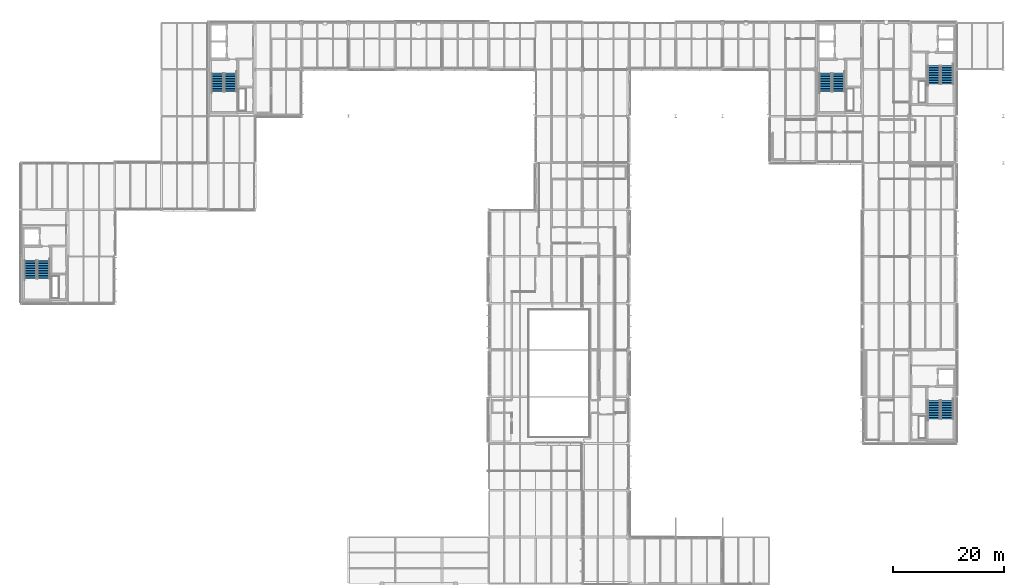
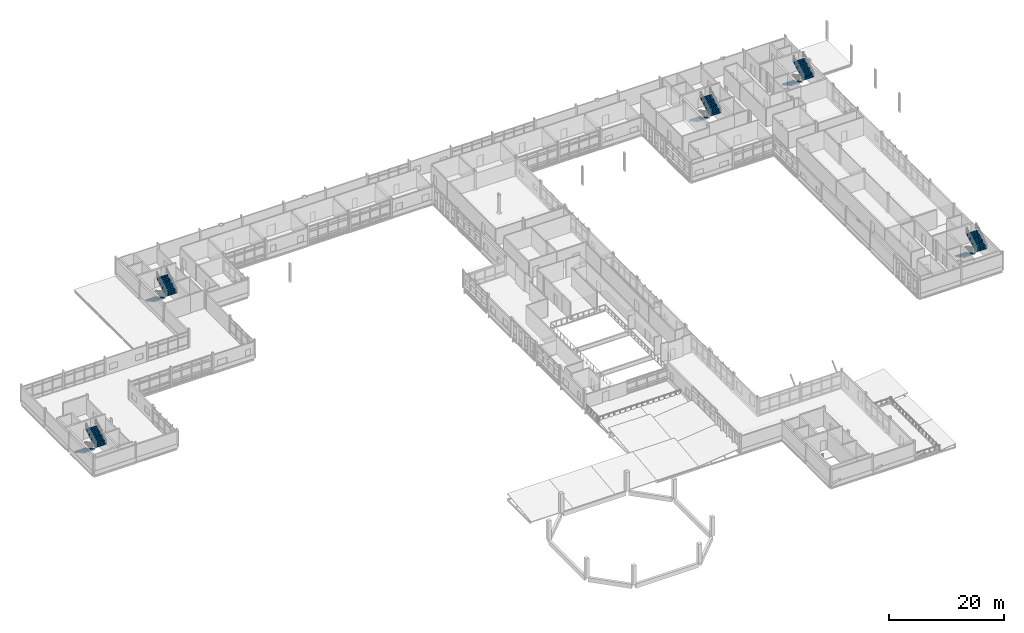
# One storey, part 115 of 131: 10 stair flights, 5 elements without a shape of their own.
"""IFC4 building model written with IfcOpenShell, lengths in metres."""

from ifc_helpers import new_model, si_unit, direction, frame, origin, place, context, subcontext, project, spatial, polyline, outline, extrude, material, type_object, element, aggregate, save


model = new_model("IFC4")

# Units and contexts
model_context = context("Model", 3, precision=1e-05, world=origin(), true_north=direction((0.0, 1.0)))
body_context = subcontext(model_context, "Body", "Model", "MODEL_VIEW")
ifc_project = project(units=[si_unit("LENGTHUNIT", "METRE"), si_unit("AREAUNIT", "SQUARE_METRE"), si_unit("VOLUMEUNIT", "CUBIC_METRE"), si_unit("PLANEANGLEUNIT", "RADIAN"), si_unit("MASSUNIT", "GRAM", prefix="KILO")], contexts=[model_context])

# Site, building, storey
site_placement = place(None, origin())
site = spatial("IfcSite", under=ifc_project, at=site_placement, CompositionType="ELEMENT")
building_placement = place(site_placement, origin())
building = spatial("IfcBuilding", under=site, at=building_placement, Name="Mersafa Astral City Hall", CompositionType="ELEMENT")
storey_placement = place(building_placement, frame((0.0, 0.0, 13.949951171875)))
storey = spatial("IfcBuildingStorey", under=building, at=storey_placement, Name="L03", CompositionType="ELEMENT", Elevation=13.949951171875)

# Stair, stair flights
ifc_material = material(Name="Concrete C40/50", Category="concrete")
stair_type = type_object("IfcStairType", Name="STAIR", PredefinedType="HALF_TURN_STAIR", material=ifc_material)
stair_1_placement = place(storey_placement, origin())
stair_1 = element("IfcStair", 1, at=stair_1_placement, inside=storey, type_object=stair_type, Name="L03 Protected Exit Stair ST1", PredefinedType="HALF_TURN_STAIR")
stair_flight_type = type_object("IfcStairFlightType", Name="STAIR-FLIGHT", PredefinedType="STRAIGHT", material=ifc_material)
stair_flight_1_placement = place(storey_placement, frame((152.8798828125, 116.89990234375, 0.0), z_axis=(0.0, 0.0, 1.0), x_axis=(0.0, -1.0, 0.0)))
stair_flight_1 = element("IfcStairFlight", 2, at=stair_flight_1_placement, type_object=stair_flight_type, Name="ST1 flight 1", NumberOfRisers=12, NumberOfTreads=11, PredefinedType="STRAIGHT", RiserHeight=0.16875, TreadLength=0.3, context=body_context, shape_type="SweptSolid", body=[
    extrude(outline(polyline([(-0.008056640625, -0.02197265625), (-0.008056640625, -0.010009765625), (-0.008056640625, 0.001953125), (-0.008056640625, 0.013671875), (-0.008056640625, 0.025634765625), (-0.008056640625, 0.03759765625), (-0.008056640625, 0.049560546875), (-0.008056640625, 0.0615234375), (-0.008056640625, 0.073486328125), (-0.008056640625, 0.085205078125), (-0.008056640625, 0.09716796875), (-0.008056640625, 0.109130859375), (-0.008056640625, 0.12109375), (-0.008056640625, 0.133056640625), (-0.008056640625, 0.14501953125), (-0.008056640625, 0.15673828125), (-0.008056640625, 0.168701171875), (0.300048828125, 0.168701171875), (0.300048828125, 0.33740234375), (0.60009765625, 0.33740234375), (0.60009765625, 0.50634765625), (0.89990234375, 0.50634765625), (0.89990234375, 0.675048828125), (1.199951171875, 0.675048828125), (1.199951171875, 0.84375), (1.5, 0.84375), (1.5, 1.012451171875), (1.800048828125, 1.012451171875), (1.800048828125, 1.18115234375), (2.10009765625, 1.18115234375), (2.10009765625, 1.35009765625), (2.39990234375, 1.35009765625), (2.39990234375, 1.518798828125), (2.699951171875, 1.518798828125), (2.699951171875, 1.6875), (3.0, 1.6875), (3.0, 1.856201171875), (3.300048828125, 1.856201171875), (3.300048828125, 2.02490234375), (3.30810546875, 2.02490234375), (3.30810546875, 2.003662109375), (3.30810546875, 1.982421875), (3.30810546875, 1.961181640625), (3.30810546875, 1.939697265625), (3.30810546875, 1.91845703125), (3.30810546875, 1.897216796875), (3.30810546875, 1.8759765625), (3.30810546875, 1.854736328125), (3.30810546875, 1.833251953125), (3.30810546875, 1.81201171875), (3.30810546875, 1.790771484375), (3.30810546875, 1.76953125), (3.30810546875, 1.748046875), (3.30810546875, 1.726806640625), (3.30810546875, 1.70556640625), (3.30810546875, 1.684326171875), (0.2666015625, -0.02197265625), (-0.008056640625, -0.02197265625)])), frame((0.0, 1.10009765625, 0.0), z_axis=(0.0, -1.0, 0.0), x_axis=(1.0, 0.0, 0.0)), (0.0, 0.0, 1.0), 2.199951171875),
])
stair_flight_2_placement = place(storey_placement, frame((155.239990234375, 113.60009765625, 2.025146484375), z_axis=(0.0, 0.0, 1.0), x_axis=(0.0, 1.0, 0.0)))
stair_flight_2 = element("IfcStairFlight", 3, at=stair_flight_2_placement, type_object=stair_flight_type, Name="ST1 flight 2", NumberOfRisers=12, NumberOfTreads=11, PredefinedType="STRAIGHT", RiserHeight=0.16875, TreadLength=0.3, context=body_context, shape_type="SweptSolid", body=[
    extrude(outline(polyline([(-0.008056640625, -0.02197265625), (-0.008056640625, -0.010009765625), (-0.008056640625, 0.001953125), (-0.008056640625, 0.013671875), (-0.008056640625, 0.025634765625), (-0.008056640625, 0.03759765625), (-0.008056640625, 0.049560546875), (-0.008056640625, 0.0615234375), (-0.008056640625, 0.073486328125), (-0.008056640625, 0.085205078125), (-0.008056640625, 0.09716796875), (-0.008056640625, 0.109130859375), (-0.008056640625, 0.12109375), (-0.008056640625, 0.133056640625), (-0.008056640625, 0.14501953125), (-0.008056640625, 0.15673828125), (-0.008056640625, 0.168701171875), (0.300048828125, 0.168701171875), (0.300048828125, 0.33740234375), (0.60009765625, 0.33740234375), (0.60009765625, 0.50634765625), (0.89990234375, 0.50634765625), (0.89990234375, 0.675048828125), (1.199951171875, 0.675048828125), (1.199951171875, 0.84375), (1.5, 0.84375), (1.5, 1.012451171875), (1.800048828125, 1.012451171875), (1.800048828125, 1.18115234375), (2.10009765625, 1.18115234375), (2.10009765625, 1.35009765625), (2.39990234375, 1.35009765625), (2.39990234375, 1.518798828125), (2.699951171875, 1.518798828125), (2.699951171875, 1.6875), (3.0, 1.6875), (3.0, 1.856201171875), (3.300048828125, 1.856201171875), (3.300048828125, 2.02490234375), (3.30810546875, 2.02490234375), (3.30810546875, 2.003662109375), (3.30810546875, 1.982421875), (3.30810546875, 1.961181640625), (3.30810546875, 1.939697265625), (3.30810546875, 1.91845703125), (3.30810546875, 1.897216796875), (3.30810546875, 1.8759765625), (3.30810546875, 1.854736328125), (3.30810546875, 1.833251953125), (3.30810546875, 1.81201171875), (3.30810546875, 1.790771484375), (3.30810546875, 1.76953125), (3.30810546875, 1.748046875), (3.30810546875, 1.726806640625), (3.30810546875, 1.70556640625), (3.30810546875, 1.684326171875), (0.2666015625, -0.02197265625), (-0.008056640625, -0.02197265625)])), frame((0.0, 1.10009765625, 0.0), z_axis=(0.0, -1.0, 0.0), x_axis=(1.0, 0.0, 0.0)), (0.0, 0.0, 1.0), 2.199951171875),
])
aggregate(stair_1, [stair_flight_1, stair_flight_2])

stair_2_placement = place(storey_placement, origin())
stair_2 = element("IfcStair", 4, at=stair_2_placement, inside=storey, type_object=stair_type, Name="L03 Protected Exit Stair ST2", PredefinedType="HALF_TURN_STAIR")
stair_flight_3_placement = place(storey_placement, frame((172.360107421875, 118.260009765625, 0.0), z_axis=(0.0, 0.0, 1.0), x_axis=(0.0, -1.0, 0.0)))
stair_flight_3 = element("IfcStairFlight", 5, at=stair_flight_3_placement, type_object=stair_flight_type, Name="ST2 flight 1", NumberOfRisers=12, NumberOfTreads=11, PredefinedType="STRAIGHT", RiserHeight=0.16875, TreadLength=0.3, context=body_context, shape_type="SweptSolid", body=[
    extrude(outline(polyline([(-0.008056640625, -0.02197265625), (-0.008056640625, -0.010009765625), (-0.008056640625, 0.001953125), (-0.008056640625, 0.013671875), (-0.008056640625, 0.025634765625), (-0.008056640625, 0.03759765625), (-0.008056640625, 0.049560546875), (-0.008056640625, 0.0615234375), (-0.008056640625, 0.073486328125), (-0.008056640625, 0.085205078125), (-0.008056640625, 0.09716796875), (-0.008056640625, 0.109130859375), (-0.008056640625, 0.12109375), (-0.008056640625, 0.133056640625), (-0.008056640625, 0.14501953125), (-0.008056640625, 0.15673828125), (-0.008056640625, 0.168701171875), (0.300048828125, 0.168701171875), (0.300048828125, 0.33740234375), (0.60009765625, 0.33740234375), (0.60009765625, 0.50634765625), (0.89990234375, 0.50634765625), (0.89990234375, 0.675048828125), (1.199951171875, 0.675048828125), (1.199951171875, 0.84375), (1.5, 0.84375), (1.5, 1.012451171875), (1.800048828125, 1.012451171875), (1.800048828125, 1.18115234375), (2.10009765625, 1.18115234375), (2.10009765625, 1.35009765625), (2.39990234375, 1.35009765625), (2.39990234375, 1.518798828125), (2.699951171875, 1.518798828125), (2.699951171875, 1.6875), (3.0, 1.6875), (3.0, 1.856201171875), (3.300048828125, 1.856201171875), (3.300048828125, 2.02490234375), (3.30810546875, 2.02490234375), (3.30810546875, 2.003662109375), (3.30810546875, 1.982421875), (3.30810546875, 1.961181640625), (3.30810546875, 1.939697265625), (3.30810546875, 1.91845703125), (3.30810546875, 1.897216796875), (3.30810546875, 1.8759765625), (3.30810546875, 1.854736328125), (3.30810546875, 1.833251953125), (3.30810546875, 1.81201171875), (3.30810546875, 1.790771484375), (3.30810546875, 1.76953125), (3.30810546875, 1.748046875), (3.30810546875, 1.726806640625), (3.30810546875, 1.70556640625), (3.30810546875, 1.684326171875), (0.2666015625, -0.02197265625), (-0.008056640625, -0.02197265625)])), frame((0.0, 1.10009765625, 0.0), z_axis=(0.0, -1.0, 0.0), x_axis=(1.0, 0.0, 0.0)), (0.0, 0.0, 1.0), 2.199951171875),
])
stair_flight_4_placement = place(storey_placement, frame((174.719970703125, 114.9599609375, 2.025146484375), z_axis=(0.0, 0.0, 1.0), x_axis=(0.0, 1.0, 0.0)))
stair_flight_4 = element("IfcStairFlight", 6, at=stair_flight_4_placement, type_object=stair_flight_type, Name="ST2 flight 2", NumberOfRisers=12, NumberOfTreads=11, PredefinedType="STRAIGHT", RiserHeight=0.16875, TreadLength=0.3, context=body_context, shape_type="SweptSolid", body=[
    extrude(outline(polyline([(-0.008056640625, -0.02197265625), (-0.008056640625, -0.010009765625), (-0.008056640625, 0.001953125), (-0.008056640625, 0.013671875), (-0.008056640625, 0.025634765625), (-0.008056640625, 0.03759765625), (-0.008056640625, 0.049560546875), (-0.008056640625, 0.0615234375), (-0.008056640625, 0.073486328125), (-0.008056640625, 0.085205078125), (-0.008056640625, 0.09716796875), (-0.008056640625, 0.109130859375), (-0.008056640625, 0.12109375), (-0.008056640625, 0.133056640625), (-0.008056640625, 0.14501953125), (-0.008056640625, 0.15673828125), (-0.008056640625, 0.168701171875), (0.300048828125, 0.168701171875), (0.300048828125, 0.33740234375), (0.60009765625, 0.33740234375), (0.60009765625, 0.50634765625), (0.89990234375, 0.50634765625), (0.89990234375, 0.675048828125), (1.199951171875, 0.675048828125), (1.199951171875, 0.84375), (1.5, 0.84375), (1.5, 1.012451171875), (1.800048828125, 1.012451171875), (1.800048828125, 1.18115234375), (2.10009765625, 1.18115234375), (2.10009765625, 1.35009765625), (2.39990234375, 1.35009765625), (2.39990234375, 1.518798828125), (2.699951171875, 1.518798828125), (2.699951171875, 1.6875), (3.0, 1.6875), (3.0, 1.856201171875), (3.300048828125, 1.856201171875), (3.300048828125, 2.02490234375), (3.30810546875, 2.02490234375), (3.30810546875, 2.003662109375), (3.30810546875, 1.982421875), (3.30810546875, 1.961181640625), (3.30810546875, 1.939697265625), (3.30810546875, 1.91845703125), (3.30810546875, 1.897216796875), (3.30810546875, 1.8759765625), (3.30810546875, 1.854736328125), (3.30810546875, 1.833251953125), (3.30810546875, 1.81201171875), (3.30810546875, 1.790771484375), (3.30810546875, 1.76953125), (3.30810546875, 1.748046875), (3.30810546875, 1.726806640625), (3.30810546875, 1.70556640625), (3.30810546875, 1.684326171875), (0.2666015625, -0.02197265625), (-0.008056640625, -0.02197265625)])), frame((0.0, 1.10009765625, 0.0), z_axis=(0.0, -1.0, 0.0), x_axis=(1.0, 0.0, 0.0)), (0.0, 0.0, 1.0), 2.199951171875),
])
aggregate(stair_2, [stair_flight_3, stair_flight_4])

stair_3_placement = place(storey_placement, origin())
stair_3 = element("IfcStair", 7, at=stair_3_placement, inside=storey, type_object=stair_type, Name="L03 Protected Exit Stair ST3", PredefinedType="HALF_TURN_STAIR")
stair_flight_5_placement = place(storey_placement, frame((43.679931640625, 116.89990234375, 0.0), z_axis=(0.0, 0.0, 1.0), x_axis=(0.0, -1.0, 0.0)))
stair_flight_5 = element("IfcStairFlight", 8, at=stair_flight_5_placement, type_object=stair_flight_type, Name="ST3 flight 1", NumberOfRisers=12, NumberOfTreads=11, PredefinedType="STRAIGHT", RiserHeight=0.16875, TreadLength=0.3, context=body_context, shape_type="SweptSolid", body=[
    extrude(outline(polyline([(-0.008056640625, -0.02197265625), (-0.008056640625, -0.010009765625), (-0.008056640625, 0.001953125), (-0.008056640625, 0.013671875), (-0.008056640625, 0.025634765625), (-0.008056640625, 0.03759765625), (-0.008056640625, 0.049560546875), (-0.008056640625, 0.0615234375), (-0.008056640625, 0.073486328125), (-0.008056640625, 0.085205078125), (-0.008056640625, 0.09716796875), (-0.008056640625, 0.109130859375), (-0.008056640625, 0.12109375), (-0.008056640625, 0.133056640625), (-0.008056640625, 0.14501953125), (-0.008056640625, 0.15673828125), (-0.008056640625, 0.168701171875), (0.300048828125, 0.168701171875), (0.300048828125, 0.33740234375), (0.60009765625, 0.33740234375), (0.60009765625, 0.50634765625), (0.89990234375, 0.50634765625), (0.89990234375, 0.675048828125), (1.199951171875, 0.675048828125), (1.199951171875, 0.84375), (1.5, 0.84375), (1.5, 1.012451171875), (1.800048828125, 1.012451171875), (1.800048828125, 1.18115234375), (2.10009765625, 1.18115234375), (2.10009765625, 1.35009765625), (2.39990234375, 1.35009765625), (2.39990234375, 1.518798828125), (2.699951171875, 1.518798828125), (2.699951171875, 1.6875), (3.0, 1.6875), (3.0, 1.856201171875), (3.300048828125, 1.856201171875), (3.300048828125, 2.02490234375), (3.30810546875, 2.02490234375), (3.30810546875, 2.003662109375), (3.30810546875, 1.982421875), (3.30810546875, 1.961181640625), (3.30810546875, 1.939697265625), (3.30810546875, 1.91845703125), (3.30810546875, 1.897216796875), (3.30810546875, 1.8759765625), (3.30810546875, 1.854736328125), (3.30810546875, 1.833251953125), (3.30810546875, 1.81201171875), (3.30810546875, 1.790771484375), (3.30810546875, 1.76953125), (3.30810546875, 1.748046875), (3.30810546875, 1.726806640625), (3.30810546875, 1.70556640625), (3.30810546875, 1.684326171875), (0.2666015625, -0.02197265625), (-0.008056640625, -0.02197265625)])), frame((0.0, 1.10009765625, 0.0), z_axis=(0.0, -1.0, 0.0), x_axis=(1.0, 0.0, 0.0)), (0.0, 0.0, 1.0), 2.199951171875),
])
stair_flight_6_placement = place(storey_placement, frame((46.0400390625, 113.60009765625, 2.025146484375), z_axis=(0.0, 0.0, 1.0), x_axis=(0.0, 1.0, 0.0)))
stair_flight_6 = element("IfcStairFlight", 9, at=stair_flight_6_placement, type_object=stair_flight_type, Name="ST3 flight 2", NumberOfRisers=12, NumberOfTreads=11, PredefinedType="STRAIGHT", RiserHeight=0.16875, TreadLength=0.3, context=body_context, shape_type="SweptSolid", body=[
    extrude(outline(polyline([(-0.008056640625, -0.02197265625), (-0.008056640625, -0.010009765625), (-0.008056640625, 0.001953125), (-0.008056640625, 0.013671875), (-0.008056640625, 0.025634765625), (-0.008056640625, 0.03759765625), (-0.008056640625, 0.049560546875), (-0.008056640625, 0.0615234375), (-0.008056640625, 0.073486328125), (-0.008056640625, 0.085205078125), (-0.008056640625, 0.09716796875), (-0.008056640625, 0.109130859375), (-0.008056640625, 0.12109375), (-0.008056640625, 0.133056640625), (-0.008056640625, 0.14501953125), (-0.008056640625, 0.15673828125), (-0.008056640625, 0.168701171875), (0.300048828125, 0.168701171875), (0.300048828125, 0.33740234375), (0.60009765625, 0.33740234375), (0.60009765625, 0.50634765625), (0.89990234375, 0.50634765625), (0.89990234375, 0.675048828125), (1.199951171875, 0.675048828125), (1.199951171875, 0.84375), (1.5, 0.84375), (1.5, 1.012451171875), (1.800048828125, 1.012451171875), (1.800048828125, 1.18115234375), (2.10009765625, 1.18115234375), (2.10009765625, 1.35009765625), (2.39990234375, 1.35009765625), (2.39990234375, 1.518798828125), (2.699951171875, 1.518798828125), (2.699951171875, 1.6875), (3.0, 1.6875), (3.0, 1.856201171875), (3.300048828125, 1.856201171875), (3.300048828125, 2.02490234375), (3.30810546875, 2.02490234375), (3.30810546875, 2.003662109375), (3.30810546875, 1.982421875), (3.30810546875, 1.961181640625), (3.30810546875, 1.939697265625), (3.30810546875, 1.91845703125), (3.30810546875, 1.897216796875), (3.30810546875, 1.8759765625), (3.30810546875, 1.854736328125), (3.30810546875, 1.833251953125), (3.30810546875, 1.81201171875), (3.30810546875, 1.790771484375), (3.30810546875, 1.76953125), (3.30810546875, 1.748046875), (3.30810546875, 1.726806640625), (3.30810546875, 1.70556640625), (3.30810546875, 1.684326171875), (0.2666015625, -0.02197265625), (-0.008056640625, -0.02197265625)])), frame((0.0, 1.10009765625, 0.0), z_axis=(0.0, -1.0, 0.0), x_axis=(1.0, 0.0, 0.0)), (0.0, 0.0, 1.0), 2.199951171875),
])
aggregate(stair_3, [stair_flight_5, stair_flight_6])

stair_4_placement = place(storey_placement, origin())
stair_4 = element("IfcStair", 10, at=stair_4_placement, inside=storey, type_object=stair_type, Name="L03 Protected Exit Stair ST4", PredefinedType="HALF_TURN_STAIR")
stair_flight_7_placement = place(storey_placement, frame((172.360107421875, 58.10009765625, 0.0), z_axis=(0.0, 0.0, 1.0), x_axis=(0.0, -1.0, 0.0)))
stair_flight_7 = element("IfcStairFlight", 11, at=stair_flight_7_placement, type_object=stair_flight_type, Name="ST4 flight 1", NumberOfRisers=12, NumberOfTreads=11, PredefinedType="STRAIGHT", RiserHeight=0.16875, TreadLength=0.3, context=body_context, shape_type="SweptSolid", body=[
    extrude(outline(polyline([(-0.008056640625, -0.02197265625), (-0.008056640625, -0.010009765625), (-0.008056640625, 0.001953125), (-0.008056640625, 0.013671875), (-0.008056640625, 0.025634765625), (-0.008056640625, 0.03759765625), (-0.008056640625, 0.049560546875), (-0.008056640625, 0.0615234375), (-0.008056640625, 0.073486328125), (-0.008056640625, 0.085205078125), (-0.008056640625, 0.09716796875), (-0.008056640625, 0.109130859375), (-0.008056640625, 0.12109375), (-0.008056640625, 0.133056640625), (-0.008056640625, 0.14501953125), (-0.008056640625, 0.15673828125), (-0.008056640625, 0.168701171875), (0.300048828125, 0.168701171875), (0.300048828125, 0.33740234375), (0.60009765625, 0.33740234375), (0.60009765625, 0.50634765625), (0.89990234375, 0.50634765625), (0.89990234375, 0.675048828125), (1.199951171875, 0.675048828125), (1.199951171875, 0.84375), (1.5, 0.84375), (1.5, 1.012451171875), (1.800048828125, 1.012451171875), (1.800048828125, 1.18115234375), (2.10009765625, 1.18115234375), (2.10009765625, 1.35009765625), (2.39990234375, 1.35009765625), (2.39990234375, 1.518798828125), (2.699951171875, 1.518798828125), (2.699951171875, 1.6875), (3.0, 1.6875), (3.0, 1.856201171875), (3.300048828125, 1.856201171875), (3.300048828125, 2.02490234375), (3.30810546875, 2.02490234375), (3.30810546875, 2.003662109375), (3.30810546875, 1.982421875), (3.30810546875, 1.961181640625), (3.30810546875, 1.939697265625), (3.30810546875, 1.91845703125), (3.30810546875, 1.897216796875), (3.30810546875, 1.8759765625), (3.30810546875, 1.854736328125), (3.30810546875, 1.833251953125), (3.30810546875, 1.81201171875), (3.30810546875, 1.790771484375), (3.30810546875, 1.76953125), (3.30810546875, 1.748046875), (3.30810546875, 1.726806640625), (3.30810546875, 1.70556640625), (3.30810546875, 1.684326171875), (0.2666015625, -0.02197265625), (-0.008056640625, -0.02197265625)])), frame((0.0, 1.10009765625, 0.0), z_axis=(0.0, -1.0, 0.0), x_axis=(1.0, 0.0, 0.0)), (0.0, 0.0, 1.0), 2.199951171875),
])
stair_flight_8_placement = place(storey_placement, frame((174.719970703125, 54.800048828125, 2.025146484375), z_axis=(0.0, 0.0, 1.0), x_axis=(0.0, 1.0, 0.0)))
stair_flight_8 = element("IfcStairFlight", 12, at=stair_flight_8_placement, type_object=stair_flight_type, Name="ST4 flight 2", NumberOfRisers=12, NumberOfTreads=11, PredefinedType="STRAIGHT", RiserHeight=0.16875, TreadLength=0.3, context=body_context, shape_type="SweptSolid", body=[
    extrude(outline(polyline([(-0.008056640625, -0.02197265625), (-0.008056640625, -0.010009765625), (-0.008056640625, 0.001953125), (-0.008056640625, 0.013671875), (-0.008056640625, 0.025634765625), (-0.008056640625, 0.03759765625), (-0.008056640625, 0.049560546875), (-0.008056640625, 0.0615234375), (-0.008056640625, 0.073486328125), (-0.008056640625, 0.085205078125), (-0.008056640625, 0.09716796875), (-0.008056640625, 0.109130859375), (-0.008056640625, 0.12109375), (-0.008056640625, 0.133056640625), (-0.008056640625, 0.14501953125), (-0.008056640625, 0.15673828125), (-0.008056640625, 0.168701171875), (0.300048828125, 0.168701171875), (0.300048828125, 0.33740234375), (0.60009765625, 0.33740234375), (0.60009765625, 0.50634765625), (0.89990234375, 0.50634765625), (0.89990234375, 0.675048828125), (1.199951171875, 0.675048828125), (1.199951171875, 0.84375), (1.5, 0.84375), (1.5, 1.012451171875), (1.800048828125, 1.012451171875), (1.800048828125, 1.18115234375), (2.10009765625, 1.18115234375), (2.10009765625, 1.35009765625), (2.39990234375, 1.35009765625), (2.39990234375, 1.518798828125), (2.699951171875, 1.518798828125), (2.699951171875, 1.6875), (3.0, 1.6875), (3.0, 1.856201171875), (3.300048828125, 1.856201171875), (3.300048828125, 2.02490234375), (3.30810546875, 2.02490234375), (3.30810546875, 2.003662109375), (3.30810546875, 1.982421875), (3.30810546875, 1.961181640625), (3.30810546875, 1.939697265625), (3.30810546875, 1.91845703125), (3.30810546875, 1.897216796875), (3.30810546875, 1.8759765625), (3.30810546875, 1.854736328125), (3.30810546875, 1.833251953125), (3.30810546875, 1.81201171875), (3.30810546875, 1.790771484375), (3.30810546875, 1.76953125), (3.30810546875, 1.748046875), (3.30810546875, 1.726806640625), (3.30810546875, 1.70556640625), (3.30810546875, 1.684326171875), (0.2666015625, -0.02197265625), (-0.008056640625, -0.02197265625)])), frame((0.0, 1.10009765625, 0.0), z_axis=(0.0, -1.0, 0.0), x_axis=(1.0, 0.0, 0.0)), (0.0, 0.0, 1.0), 2.199951171875),
])
aggregate(stair_4, [stair_flight_7, stair_flight_8])

stair_5_placement = place(storey_placement, origin())
stair_5 = element("IfcStair", 13, at=stair_5_placement, inside=storey, type_object=stair_type, Name="L03 Protected Exit Stair ST6", PredefinedType="HALF_TURN_STAIR")
stair_flight_9_placement = place(storey_placement, frame((10.080078125, 83.300048828125, 0.0), z_axis=(0.0, 0.0, 1.0), x_axis=(0.0, -1.0, 0.0)))
stair_flight_9 = element("IfcStairFlight", 14, at=stair_flight_9_placement, type_object=stair_flight_type, Name="ST6 flight 1", NumberOfRisers=12, NumberOfTreads=11, PredefinedType="STRAIGHT", RiserHeight=0.16875, TreadLength=0.3, context=body_context, shape_type="SweptSolid", body=[
    extrude(outline(polyline([(-0.008056640625, -0.02197265625), (-0.008056640625, -0.010009765625), (-0.008056640625, 0.001953125), (-0.008056640625, 0.013671875), (-0.008056640625, 0.025634765625), (-0.008056640625, 0.03759765625), (-0.008056640625, 0.049560546875), (-0.008056640625, 0.0615234375), (-0.008056640625, 0.073486328125), (-0.008056640625, 0.085205078125), (-0.008056640625, 0.09716796875), (-0.008056640625, 0.109130859375), (-0.008056640625, 0.12109375), (-0.008056640625, 0.133056640625), (-0.008056640625, 0.14501953125), (-0.008056640625, 0.15673828125), (-0.008056640625, 0.168701171875), (0.300048828125, 0.168701171875), (0.300048828125, 0.33740234375), (0.60009765625, 0.33740234375), (0.60009765625, 0.50634765625), (0.89990234375, 0.50634765625), (0.89990234375, 0.675048828125), (1.199951171875, 0.675048828125), (1.199951171875, 0.84375), (1.5, 0.84375), (1.5, 1.012451171875), (1.800048828125, 1.012451171875), (1.800048828125, 1.18115234375), (2.10009765625, 1.18115234375), (2.10009765625, 1.35009765625), (2.39990234375, 1.35009765625), (2.39990234375, 1.518798828125), (2.699951171875, 1.518798828125), (2.699951171875, 1.6875), (3.0, 1.6875), (3.0, 1.856201171875), (3.300048828125, 1.856201171875), (3.300048828125, 2.02490234375), (3.30810546875, 2.02490234375), (3.30810546875, 2.003662109375), (3.30810546875, 1.982421875), (3.30810546875, 1.961181640625), (3.30810546875, 1.939697265625), (3.30810546875, 1.91845703125), (3.30810546875, 1.897216796875), (3.30810546875, 1.8759765625), (3.30810546875, 1.854736328125), (3.30810546875, 1.833251953125), (3.30810546875, 1.81201171875), (3.30810546875, 1.790771484375), (3.30810546875, 1.76953125), (3.30810546875, 1.748046875), (3.30810546875, 1.726806640625), (3.30810546875, 1.70556640625), (3.30810546875, 1.684326171875), (0.2666015625, -0.02197265625), (-0.008056640625, -0.02197265625)])), frame((0.0, 1.10009765625, 0.0), z_axis=(0.0, -1.0, 0.0), x_axis=(1.0, 0.0, 0.0)), (0.0, 0.0, 1.0), 2.199951171875),
])
stair_flight_10_placement = place(storey_placement, frame((12.43994140625, 80.0, 2.025146484375), z_axis=(0.0, 0.0, 1.0), x_axis=(0.0, 1.0, 0.0)))
stair_flight_10 = element("IfcStairFlight", 15, at=stair_flight_10_placement, type_object=stair_flight_type, Name="ST6 flight 2", NumberOfRisers=12, NumberOfTreads=11, PredefinedType="STRAIGHT", RiserHeight=0.16875, TreadLength=0.3, context=body_context, shape_type="SweptSolid", body=[
    extrude(outline(polyline([(-0.008056640625, -0.02197265625), (-0.008056640625, -0.010009765625), (-0.008056640625, 0.001953125), (-0.008056640625, 0.013671875), (-0.008056640625, 0.025634765625), (-0.008056640625, 0.03759765625), (-0.008056640625, 0.049560546875), (-0.008056640625, 0.0615234375), (-0.008056640625, 0.073486328125), (-0.008056640625, 0.085205078125), (-0.008056640625, 0.09716796875), (-0.008056640625, 0.109130859375), (-0.008056640625, 0.12109375), (-0.008056640625, 0.133056640625), (-0.008056640625, 0.14501953125), (-0.008056640625, 0.15673828125), (-0.008056640625, 0.168701171875), (0.300048828125, 0.168701171875), (0.300048828125, 0.33740234375), (0.60009765625, 0.33740234375), (0.60009765625, 0.50634765625), (0.89990234375, 0.50634765625), (0.89990234375, 0.675048828125), (1.199951171875, 0.675048828125), (1.199951171875, 0.84375), (1.5, 0.84375), (1.5, 1.012451171875), (1.800048828125, 1.012451171875), (1.800048828125, 1.18115234375), (2.10009765625, 1.18115234375), (2.10009765625, 1.35009765625), (2.39990234375, 1.35009765625), (2.39990234375, 1.518798828125), (2.699951171875, 1.518798828125), (2.699951171875, 1.6875), (3.0, 1.6875), (3.0, 1.856201171875), (3.300048828125, 1.856201171875), (3.300048828125, 2.02490234375), (3.30810546875, 2.02490234375), (3.30810546875, 2.003662109375), (3.30810546875, 1.982421875), (3.30810546875, 1.961181640625), (3.30810546875, 1.939697265625), (3.30810546875, 1.91845703125), (3.30810546875, 1.897216796875), (3.30810546875, 1.8759765625), (3.30810546875, 1.854736328125), (3.30810546875, 1.833251953125), (3.30810546875, 1.81201171875), (3.30810546875, 1.790771484375), (3.30810546875, 1.76953125), (3.30810546875, 1.748046875), (3.30810546875, 1.726806640625), (3.30810546875, 1.70556640625), (3.30810546875, 1.684326171875), (0.2666015625, -0.02197265625), (-0.008056640625, -0.02197265625)])), frame((0.0, 1.10009765625, 0.0), z_axis=(0.0, -1.0, 0.0), x_axis=(1.0, 0.0, 0.0)), (0.0, 0.0, 1.0), 2.199951171875),
])
aggregate(stair_5, [stair_flight_9, stair_flight_10])

save(model, "model.ifc")
